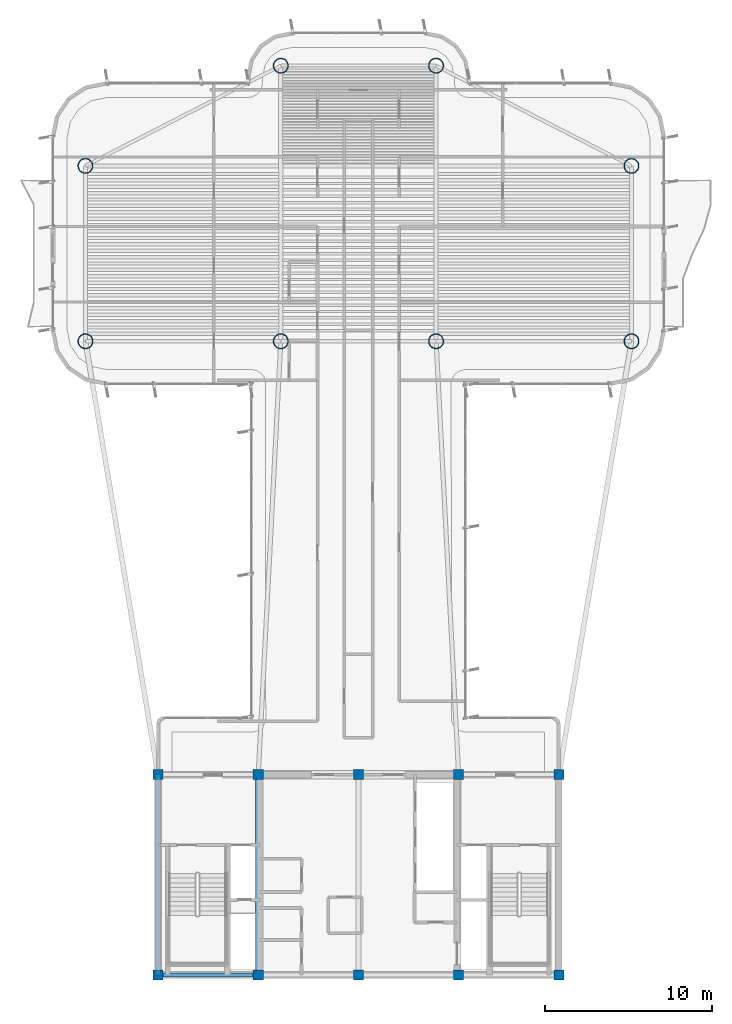
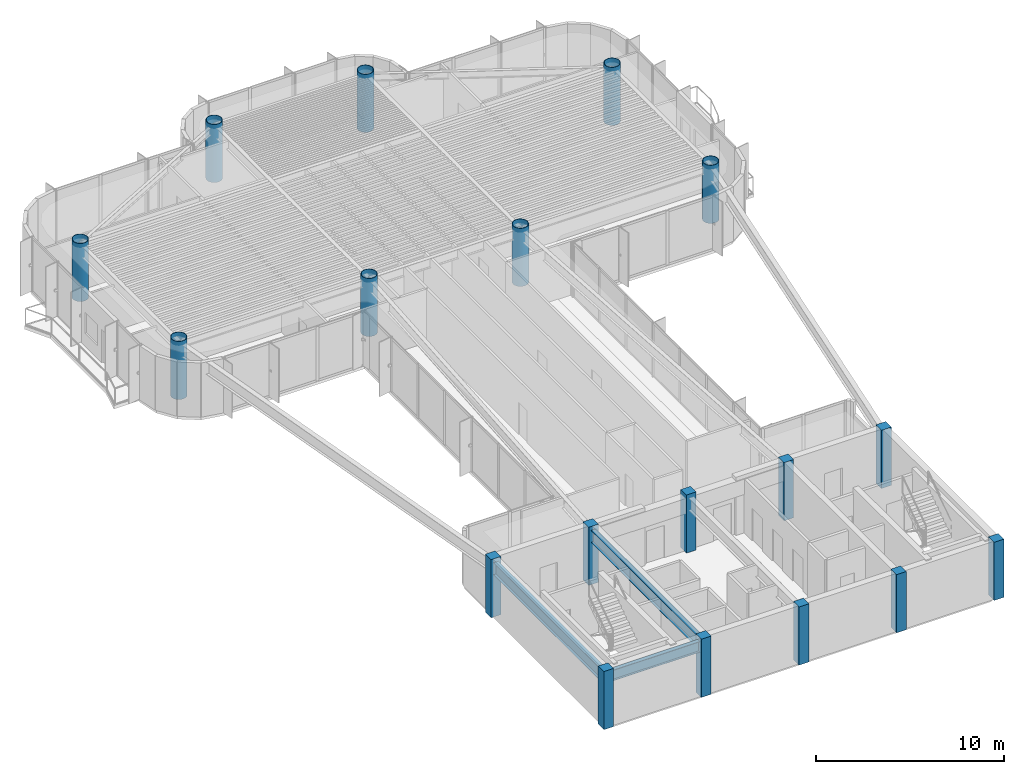
# One storey, part 1 of 15: 18 columns, 3 beams.
"""IFC4 building model written with IfcOpenShell, lengths in metres."""

from ifc_helpers import new_model, si_unit, direction, frame, origin, origin_2d, place, context, subcontext, project, spatial, rectangle, hollow_circle, i_section, extrude, source, transform, mapped, material, material_profile, profile_set, type_object, element, save


model = new_model("IFC4")

# Units and contexts
model_context = context("Model", 3, precision=1e-05, world=origin(), true_north=direction((0.0, 1.0)))
body_context = subcontext(model_context, "Body", "Model", "MODEL_VIEW")
ifc_project = project(units=[si_unit("LENGTHUNIT", "METRE"), si_unit("AREAUNIT", "SQUARE_METRE"), si_unit("VOLUMEUNIT", "CUBIC_METRE"), si_unit("PLANEANGLEUNIT", "RADIAN"), si_unit("MASSUNIT", "GRAM", prefix="KILO")], contexts=[model_context])

# Site, building, storey
site_placement = place(None, origin())
site = spatial("IfcSite", under=ifc_project, at=site_placement, CompositionType="ELEMENT")
building_placement = place(site_placement, origin())
building = spatial("IfcBuilding", under=site, at=building_placement, Name="Brelvock Crest Care Tower", CompositionType="ELEMENT")
storey_placement = place(building_placement, frame((0.0, 0.0, 268.3798828125)))
storey = spatial("IfcBuildingStorey", under=building, at=storey_placement, Name="L68", CompositionType="ELEMENT", Elevation=268.3798828125)

# Columns
ifc_material_1 = material(Name="Concrete S65 (65 MPa)", Category="concrete")
ifc_material_profile_1 = material_profile(ifc_material_1, rectangle(XDim=0.60009765625, YDim=0.60009765625, at=origin_2d()), Name="RC600x600")
ifc_profile_set_1 = profile_set([ifc_material_profile_1], Name="Concrete S65 (65 MPa)")
column_type_1 = type_object("IfcColumnType", Name="COL-RC4", PredefinedType="COLUMN", material=ifc_profile_set_1)
shared_shape_1 = source(origin(), body_context, "Body", "SweptSolid", [
    extrude(rectangle(XDim=0.60009765625, YDim=0.60009765625, at=origin_2d()), origin(), (0.0, 0.0, 1.0), 3.780029296875),
])
for number, where, z_axis, x_axis, name in (
    (1, (24.0, 6.0, 0.0), (0.0, 0.0, 1.0), (1.0, 0.0, 0.0), "L68 Core Column CC-01"),
    (2, (30.0, 6.0, 0.0), (0.0, 0.0, 1.0), (1.0, 0.0, 0.0), "L68 Core Column CC-02"),
    (3, (36.0, 6.0, 0.0), (0.0, 0.0, 1.0), (1.0, 0.0, 0.0), "L68 Core Column CC-03"),
    (4, (42.0, 6.0, 0.0), (0.0, 0.0, 1.0), (1.0, 0.0, 0.0), "L68 Core Column CC-04"),
    (5, (48.0, 6.0, 0.0), (0.0, 0.0, 1.0), (1.0, 0.0, 0.0), "L68 Core Column CC-05"),
    (6, (24.0, 18.0, 0.0), (0.0, 0.0, 1.0), (1.0, 0.0, 0.0), "L68 Core Column CC-06"),
    (7, (30.0, 18.0, 0.0), (0.0, 0.0, 1.0), (1.0, 0.0, 0.0), "L68 Core Column CC-07"),
    (8, (36.0, 18.0, 0.0), (0.0, 0.0, 1.0), (1.0, 0.0, 0.0), "L68 Core Column CC-08"),
    (9, (42.0, 18.0, 0.0), (0.0, 0.0, 1.0), (1.0, 0.0, 0.0), "L68 Core Column CC-09"),
    (10, (48.0, 18.0, 0.0), (0.0, 0.0, 1.0), (1.0, 0.0, 0.0), "L68 Core Column CC-10"),
):
    element("IfcColumn", number, at=place(storey_placement, frame(where, z_axis=z_axis, x_axis=x_axis)), inside=storey, type_object=column_type_1, Name=name, PredefinedType="COLUMN", context=body_context, shape_type="MappedRepresentation", body=[
        mapped(shared_shape_1, transform((0.0, 0.0, 0.0), x_axis=(1.0, 0.0, 0.0), y_axis=(0.0, 1.0, 0.0), z_axis=(0.0, 0.0, 1.0), scale=1.0)),
    ])
ifc_material_2 = material(Name="Steel Grade 350", Category="steel")
ifc_material_profile_2 = material_profile(ifc_material_2, hollow_circle(Radius=0.449951171875, WallThickness=0.031982421875, at=origin_2d()), Name="CFT900x32")
ifc_profile_set_2 = profile_set([ifc_material_profile_2], Name="Steel Grade 350")
column_type_2 = type_object("IfcColumnType", Name="COL-MC4", PredefinedType="COLUMN", material=ifc_profile_set_2)
shared_shape_2 = source(origin(), body_context, "Body", "SweptSolid", [
    extrude(hollow_circle(Radius=0.449951171875, WallThickness=0.031982421875, at=origin_2d()), origin(), (0.0, 0.0, 1.0), 3.780029296875),
])
for number, where, z_axis, x_axis, name in (
    (11, (19.64990234375, 43.949951171875, 0.0), (0.0, 0.0, 1.0), (1.0, 0.0, 0.0), "L68 Tower Column M1"),
    (12, (19.64990234375, 54.449951171875, 0.0), (0.0, 0.0, 1.0), (1.0, 0.0, 0.0), "L68 Tower Column M2"),
    (13, (52.35009765625, 43.949951171875, 0.0), (0.0, 0.0, 1.0), (1.0, 0.0, 0.0), "L68 Tower Column M3"),
    (14, (52.35009765625, 54.449951171875, 0.0), (0.0, 0.0, 1.0), (1.0, 0.0, 0.0), "L68 Tower Column M4"),
    (15, (31.35009765625, 43.949951171875, 0.0), (0.0, 0.0, 1.0), (1.0, 0.0, 0.0), "L68 Tower Column M5"),
    (16, (40.64990234375, 43.949951171875, 0.0), (0.0, 0.0, 1.0), (1.0, 0.0, 0.0), "L68 Tower Column M6"),
    (17, (31.35009765625, 60.449951171875, 0.0), (0.0, 0.0, 1.0), (1.0, 0.0, 0.0), "L68 Tower Column M7"),
    (18, (40.64990234375, 60.449951171875, 0.0), (0.0, 0.0, 1.0), (1.0, 0.0, 0.0), "L68 Tower Column M8"),
):
    element("IfcColumn", number, at=place(storey_placement, frame(where, z_axis=z_axis, x_axis=x_axis)), inside=storey, type_object=column_type_2, Name=name, PredefinedType="COLUMN", context=body_context, shape_type="MappedRepresentation", body=[
        mapped(shared_shape_2, transform((0.0, 0.0, 0.0), x_axis=(1.0, 0.0, 0.0), y_axis=(0.0, 1.0, 0.0), z_axis=(0.0, 0.0, 1.0), scale=1.0)),
    ])

# Beams
ifc_material_profile_3 = material_profile(ifc_material_2, i_section(OverallWidth=0.25, OverallDepth=0.699951171875, WebThickness=0.011962890625, FlangeThickness=0.02001953125, at=origin_2d()), Name="700WB150")
ifc_profile_set_3 = profile_set([ifc_material_profile_3], Name="Steel Grade 350")
beam_type_1 = type_object("IfcBeamType", Name="BM-G4", PredefinedType="BEAM", material=ifc_profile_set_3)
shared_shape_3 = source(origin(), body_context, "Body", "SweptSolid", [
    extrude(i_section(OverallWidth=0.25, OverallDepth=0.699951171875, WebThickness=0.011962890625, FlangeThickness=0.02001953125, at=origin_2d()), origin(), (0.0, 0.0, 1.0), 6.0),
])
beam_placement = place(storey_placement, frame((24.0, 6.0, 3.18017578125), z_axis=(1.0, 0.0, 0.0), x_axis=(0.0, 1.0, 0.0)))
element("IfcBeam", 19, at=beam_placement, inside=storey, type_object=beam_type_1, Name="BM-CORES-L68-1", PredefinedType="BEAM", context=body_context, shape_type="MappedRepresentation", body=[
    mapped(shared_shape_3, transform((0.0, 0.0, 0.0), x_axis=(1.0, 0.0, 0.0), y_axis=(0.0, 1.0, 0.0), z_axis=(0.0, 0.0, 1.0), scale=1.0)),
])
ifc_material_profile_4 = material_profile(ifc_material_2, i_section(OverallWidth=0.300048828125, OverallDepth=0.800048828125, WebThickness=0.013916015625, FlangeThickness=0.02197265625, at=origin_2d()), Name="800WB192")
ifc_profile_set_4 = profile_set([ifc_material_profile_4], Name="Steel Grade 350")
beam_type_2 = type_object("IfcBeamType", Name="BM-G5", PredefinedType="BEAM", material=ifc_profile_set_4)
shared_shape_4 = source(origin(), body_context, "Body", "SweptSolid", [
    extrude(i_section(OverallWidth=0.300048828125, OverallDepth=0.800048828125, WebThickness=0.013916015625, FlangeThickness=0.02197265625, at=origin_2d()), origin(), (0.0, 0.0, 1.0), 12.0),
])
for number, where, z_axis, x_axis, name in (
    (20, (24.0, 6.0, 3.130126953125), (0.0, 1.0, 0.0), (-1.0, 0.0, 0.0), "BM-COREX-L68-1"),
    (21, (30.0, 6.0, 3.130126953125), (0.0, 1.0, 0.0), (-1.0, 0.0, 0.0), "BM-COREX-L68-2"),
):
    element("IfcBeam", number, at=place(storey_placement, frame(where, z_axis=z_axis, x_axis=x_axis)), inside=storey, type_object=beam_type_2, Name=name, PredefinedType="BEAM", context=body_context, shape_type="MappedRepresentation", body=[
        mapped(shared_shape_4, transform((0.0, 0.0, 0.0), x_axis=(1.0, 0.0, 0.0), y_axis=(0.0, 1.0, 0.0), z_axis=(0.0, 0.0, 1.0), scale=1.0)),
    ])

save(model, "model.ifc")
